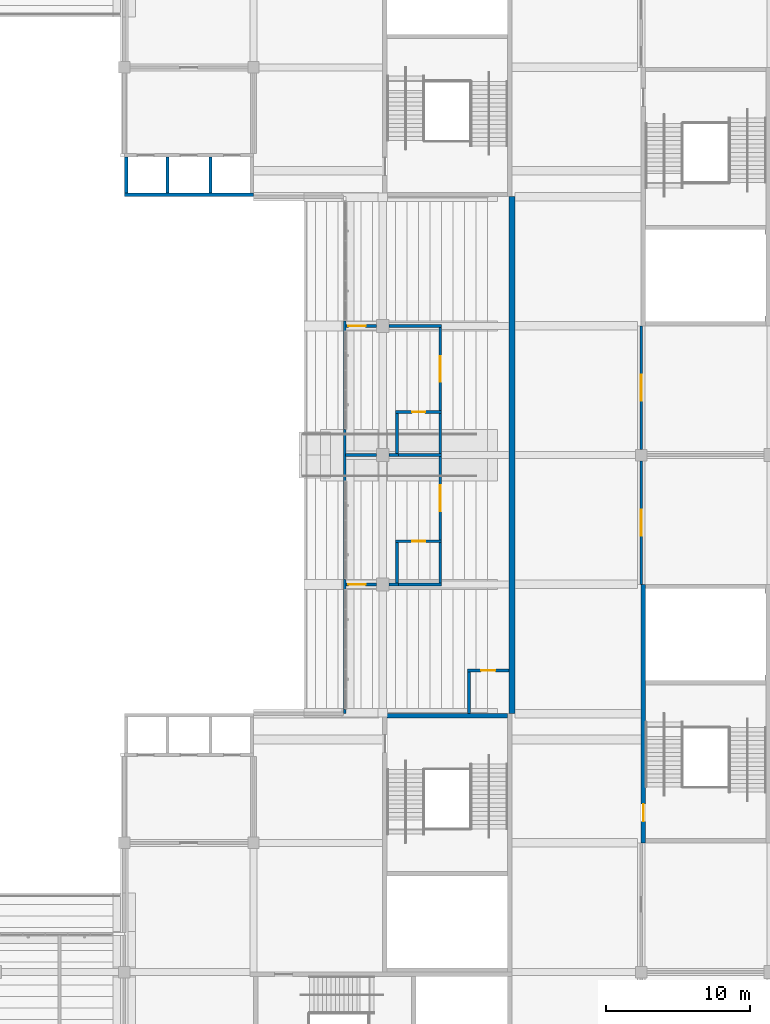
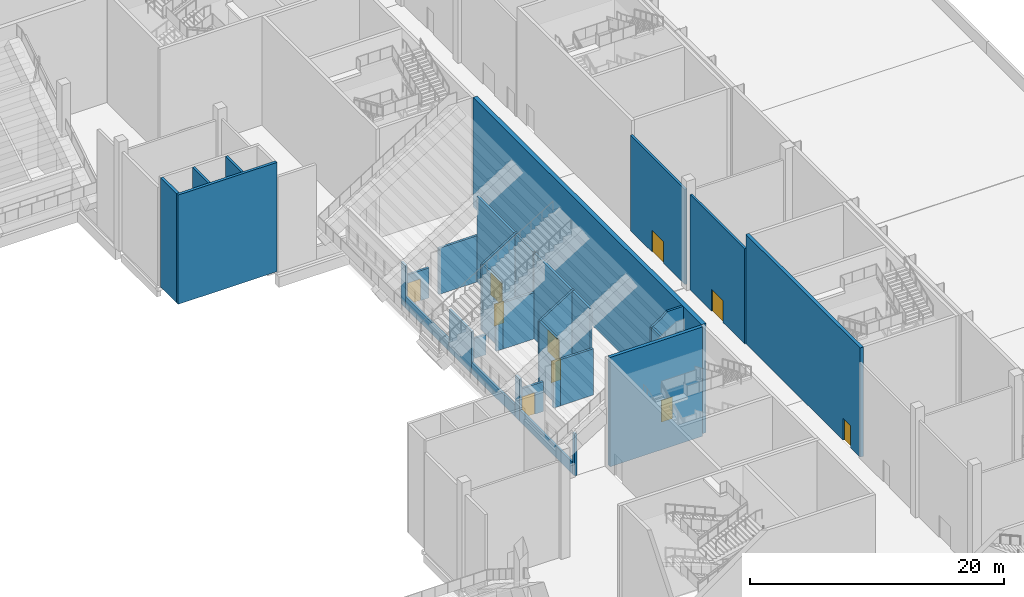
# One storey, part 89 of 182: 34 walls, 10 doors, 10 openings.
"""IFC4 building model written with IfcOpenShell, lengths in metres."""

from ifc_helpers import new_model, si_unit, direction, frame, frame_2d, origin, place, context, subcontext, project, spatial, polyline, rectangle, outline, extrude, material, layer, layer_set, type_object, element, fill, save


model = new_model("IFC4")

# Units and contexts
model_context = context("Model", 3, precision=1e-05, world=origin(), true_north=direction((0.0, 1.0)))
body_context = subcontext(model_context, "Body", "Model", "MODEL_VIEW")
ifc_project = project(units=[si_unit("LENGTHUNIT", "METRE"), si_unit("AREAUNIT", "SQUARE_METRE"), si_unit("VOLUMEUNIT", "CUBIC_METRE"), si_unit("PLANEANGLEUNIT", "RADIAN"), si_unit("MASSUNIT", "GRAM", prefix="KILO")], contexts=[model_context])

# Site, building, storey
site_placement = place(None, origin())
site = spatial("IfcSite", under=ifc_project, at=site_placement, CompositionType="ELEMENT")
building_placement = place(site_placement, origin())
building = spatial("IfcBuilding", under=site, at=building_placement, Name="Silverbay Arena", CompositionType="ELEMENT")
storey_placement = place(building_placement, frame((0.0, 0.0, 11.5)))
storey = spatial("IfcBuildingStorey", under=building, at=storey_placement, Name="L02", CompositionType="ELEMENT", Elevation=11.5)

# Wall, opening, door
ifc_material_1 = material(Name="Concrete Grade C45", Category="concrete")
ifc_layer_1 = layer(ifc_material_1, 0.300048828125)
ifc_layer_set_1 = layer_set([ifc_layer_1], Name="Concrete Grade C45")
wall_type_1 = type_object("IfcWallType", Name="Core wall RC 300 EI 120", PredefinedType="SHEAR", material=ifc_layer_set_1)
wall_1_placement = place(storey_placement, frame((198.14990234375, 54.0, 0.0), z_axis=(0.0, 0.0, 1.0), x_axis=(0.0, 1.0, 0.0)))
wall_1 = element("IfcWall", 1, at=wall_1_placement, inside=storey, type_object=wall_type_1, Name="Core wall ST-E1 L02 door side", PredefinedType="SHEAR", context=body_context, shape_type="SweptSolid", body=[
    extrude(rectangle(XDim=18.0, YDim=0.300048828125, at=frame_2d((9.0, 0.0))), origin(), (0.0, 0.0, 1.0), 10.5),
])
opening_1_placement = place(wall_1_placement, frame((1.5, 0.0, 0.0)))
opening_1 = element("IfcOpeningElement", 2, at=opening_1_placement, cuts=wall_1, Name="Opening L02-089", PredefinedType="OPENING", context=body_context, shape_type="SweptSolid", body=[
    extrude(rectangle(XDim=1.199951171875, YDim=2.10009765625, at=frame_2d((0.60009765625, 1.050048828125))), frame((0.0, 0.16015625, 0.0), z_axis=(0.0, -1.0, 0.0), x_axis=(1.0, 0.0, 0.0)), (0.0, 0.0, 1.0), 0.320068359375),
])
ifc_material_2 = material(Name="Steel fire door", Category="steel")
door_type_1 = type_object("IfcDoorType", Name="Stair door 1200 x 2100 fire door", OperationType="SINGLE_SWING_LEFT", PredefinedType="DOOR", material=ifc_material_2)
door_1_placement = place(opening_1_placement, frame((1.199951171875, 0.0, 0.0), z_axis=(0.0, 0.0, 1.0), x_axis=(-1.0, 0.0, 0.0)))
door_1 = element("IfcDoor", 3, at=door_1_placement, inside=storey, type_object=door_type_1, Name="Stair door ST-E1 L02", OperationType="SINGLE_SWING_RIGHT", OverallHeight=2.10009765625, OverallWidth=1.199951171875, PredefinedType="DOOR", context=body_context, shape_type="SweptSolid", body=[
    extrude(rectangle(XDim=1.199951171875, YDim=2.10009765625, at=frame_2d((0.60009765625, 1.050048828125))), frame((0.0, 0.02490234375, 0.0), z_axis=(0.0, -1.0, 0.0), x_axis=(1.0, 0.0, 0.0)), (0.0, 0.0, 1.0), 0.050048828125),
])
fill(opening_1, door_1)

# Walls
wall_2_placement = place(storey_placement, frame((180.300048828125, 62.85009765625, 0.0), z_axis=(0.0, 0.0, 1.0), x_axis=(1.0, 0.0, 0.0)))
element("IfcWall", 4, at=wall_2_placement, inside=storey, type_object=wall_type_1, Name="Core wall ST-SE2 L02 end 1", PredefinedType="SHEAR", context=body_context, shape_type="SweptSolid", body=[
    extrude(rectangle(XDim=8.39990234375, YDim=0.300048828125, at=frame_2d((4.199951171875, 0.0))), origin(), (0.0, 0.0, 1.0), 10.5),
])
ifc_material_3 = material(Name="Concrete Grade C45", Category="concrete")
ifc_layer_2 = layer(ifc_material_3, 0.199951171875)
ifc_layer_set_2 = layer_set([ifc_layer_2], Name="Concrete Grade C45")
wall_type_2 = type_object("IfcWallType", Name="Lift shaft divider RC 200 EI 120", PredefinedType="SHEAR", material=ifc_layer_set_2)
for number, where, z_axis, x_axis, name in (
    (5, (165.0, 99.25, 0.0), (0.0, 0.0, 1.0), (0.0, 1.0, 0.0), "Lift shaft divider LB-NE L02 1"),
    (6, (168.0, 99.25, 0.0), (0.0, 0.0, 1.0), (0.0, 1.0, 0.0), "Lift shaft divider LB-NE L02 2"),
):
    element("IfcWall", number, at=place(storey_placement, frame(where, z_axis=z_axis, x_axis=x_axis)), inside=storey, type_object=wall_type_2, Name=name, PredefinedType="SHEAR", context=body_context, shape_type="SweptSolid", body=[
        extrude(rectangle(XDim=2.5, YDim=0.199951171875, at=frame_2d((1.25, 0.0))), origin(), (0.0, 0.0, 1.0), 10.5),
    ])
ifc_material_4 = material(Name="Concrete Grade C45", Category="concrete")
ifc_layer_3 = layer(ifc_material_4, 0.25)
ifc_layer_set_3 = layer_set([ifc_layer_3], Name="Concrete Grade C45")
wall_type_3 = type_object("IfcWallType", Name="Lift shaft wall RC 250 EI 120", PredefinedType="SHEAR", material=ifc_layer_set_3)
wall_3_placement = place(storey_placement, frame((162.0, 99.125, 0.0), z_axis=(0.0, 0.0, 1.0), x_axis=(1.0, 0.0, 0.0)))
element("IfcWall", 7, at=wall_3_placement, inside=storey, type_object=wall_type_3, Name="Lift shaft wall LB-NE L02 back", PredefinedType="SHEAR", context=body_context, shape_type="SweptSolid", body=[
    extrude(rectangle(XDim=9.0, YDim=0.25, at=frame_2d((4.5, 0.0))), origin(), (0.0, 0.0, 1.0), 10.5),
])
wall_4_placement = place(storey_placement, frame((162.125, 99.25, 0.0), z_axis=(0.0, 0.0, 1.0), x_axis=(0.0, 1.0, 0.0)))
element("IfcWall", 8, at=wall_4_placement, inside=storey, type_object=wall_type_3, Name="Lift shaft wall LB-NE L02 end", PredefinedType="SHEAR", context=body_context, shape_type="SweptSolid", body=[
    extrude(rectangle(XDim=2.5, YDim=0.25, at=frame_2d((1.25, 0.0))), origin(), (0.0, 0.0, 1.0), 10.5),
])
ifc_material_5 = material(Name="Masonry blockwork partition", Category="masonry")
ifc_layer_4 = layer(ifc_material_5, 0.199951171875)
ifc_layer_set_4 = layer_set([ifc_layer_4], Name="Masonry blockwork partition")
wall_type_4 = type_object("IfcWallType", Name="Partition 200 EI 120", PredefinedType="PARTITIONING", material=ifc_layer_set_4)
wall_5_placement = place(storey_placement, frame((181.10009765625, 81.0, 0.0), z_axis=(0.0, 0.0, 1.0), x_axis=(1.0, 0.0, 0.0)))
element("IfcWall", 9, at=wall_5_placement, inside=storey, type_object=wall_type_4, Name="Partition wall", PredefinedType="PARTITIONING", context=body_context, shape_type="SweptSolid", body=[
    extrude(rectangle(XDim=3.0, YDim=0.199951171875, at=frame_2d((1.5, 0.0))), origin(), (0.0, 0.0, 1.0), 4.43896484375),
])

# Wall, opening, door
wall_6_placement = place(storey_placement, frame((184.0, 75.10009765625, 0.0), z_axis=(0.0, 0.0, 1.0), x_axis=(0.0, 1.0, 0.0)))
wall_6 = element("IfcWall", 10, at=wall_6_placement, inside=storey, type_object=wall_type_4, Name="Partition wall", PredefinedType="PARTITIONING", context=body_context, shape_type="SweptSolid", body=[
    extrude(rectangle(XDim=5.7998046875, YDim=0.199951171875, at=frame_2d((2.89990234375, 0.0))), origin(), (0.0, 0.0, 1.0), 8.257568359375),
])
opening_2_placement = place(wall_6_placement, frame((2.0, 0.0, 0.0)))
opening_2 = element("IfcOpeningElement", 11, at=opening_2_placement, cuts=wall_6, Name="Opening L02-059", PredefinedType="OPENING", context=body_context, shape_type="SweptSolid", body=[
    extrude(rectangle(XDim=1.800048828125, YDim=2.10009765625, at=frame_2d((0.89990234375, 1.050048828125))), frame((0.0, 0.10986328125, 0.0), z_axis=(0.0, -1.0, 0.0), x_axis=(1.0, 0.0, 0.0)), (0.0, 0.0, 1.0), 0.219970703125),
])
ifc_material_6 = material(Name="Steel faced timber", Category="steel")
door_type_2 = type_object("IfcDoorType", Name="Double leaf door 1800 x 2100 FD120", OperationType="DOUBLE_DOOR_DOUBLE_SWING", PredefinedType="DOOR", material=ifc_material_6)
door_2_placement = place(opening_2_placement, origin())
door_2 = element("IfcDoor", 12, at=door_2_placement, inside=storey, type_object=door_type_2, Name="Door L02-059", OperationType="DOUBLE_DOOR_DOUBLE_SWING", OverallHeight=2.10009765625, OverallWidth=1.800048828125, PredefinedType="DOOR", context=body_context, shape_type="SweptSolid", body=[
    extrude(rectangle(XDim=1.800048828125, YDim=2.10009765625, at=frame_2d((0.89990234375, 1.050048828125))), frame((0.0, 0.02490234375, 0.0), z_axis=(0.0, -1.0, 0.0), x_axis=(1.0, 0.0, 0.0)), (0.0, 0.0, 1.0), 0.050048828125),
])
fill(opening_2, door_2)

wall_7_placement = place(storey_placement, frame((184.0, 84.10009765625, 0.0), z_axis=(0.0, 0.0, 1.0), x_axis=(0.0, 1.0, 0.0)))
wall_7 = element("IfcWall", 13, at=wall_7_placement, inside=storey, type_object=wall_type_4, Name="Partition wall", PredefinedType="PARTITIONING", context=body_context, shape_type="SweptSolid", body=[
    extrude(rectangle(XDim=5.7998046875, YDim=0.199951171875, at=frame_2d((2.89990234375, 0.0))), origin(), (0.0, 0.0, 1.0), 8.257568359375),
])
opening_3_placement = place(wall_7_placement, frame((2.0, 0.0, 0.0)))
opening_3 = element("IfcOpeningElement", 14, at=opening_3_placement, cuts=wall_7, Name="Opening L02-061", PredefinedType="OPENING", context=body_context, shape_type="SweptSolid", body=[
    extrude(rectangle(XDim=1.800048828125, YDim=2.10009765625, at=frame_2d((0.89990234375, 1.050048828125))), frame((0.0, 0.10986328125, 0.0), z_axis=(0.0, -1.0, 0.0), x_axis=(1.0, 0.0, 0.0)), (0.0, 0.0, 1.0), 0.219970703125),
])
door_3_placement = place(opening_3_placement, origin())
door_3 = element("IfcDoor", 15, at=door_3_placement, inside=storey, type_object=door_type_2, Name="Door L02-061", OperationType="DOUBLE_DOOR_DOUBLE_SWING", OverallHeight=2.10009765625, OverallWidth=1.800048828125, PredefinedType="DOOR", context=body_context, shape_type="SweptSolid", body=[
    extrude(rectangle(XDim=1.800048828125, YDim=2.10009765625, at=frame_2d((0.89990234375, 1.050048828125))), frame((0.0, 0.02490234375, 0.0), z_axis=(0.0, -1.0, 0.0), x_axis=(1.0, 0.0, 0.0)), (0.0, 0.0, 1.0), 0.050048828125),
])
fill(opening_3, door_3)

ifc_material_7 = material(Name="Gypsum board partition on steel studs", Category="steel")
ifc_layer_5 = layer(ifc_material_7, 0.199951171875)
ifc_layer_set_5 = layer_set([ifc_layer_5], Name="Gypsum board partition on steel studs")
wall_type_5 = type_object("IfcWallType", Name="Partition 200 EI 60", PredefinedType="PARTITIONING", material=ifc_layer_set_5)
wall_8_placement = place(storey_placement, frame((185.89990234375, 66.0, 0.0), z_axis=(0.0, 0.0, 1.0), x_axis=(1.0, 0.0, 0.0)))
wall_8 = element("IfcWall", 16, at=wall_8_placement, inside=storey, type_object=wall_type_5, Name="Partition wall", PredefinedType="PARTITIONING", context=body_context, shape_type="SweptSolid", body=[
    extrude(outline(polyline([(0.0, 0.0), (2.900146484375, 0.0), (2.89990234375, 10.5), (1.449951171875, 10.5), (0.966796875, 10.04931640625), (0.0, 9.445068359375), (0.0, 0.0)])), frame((0.0, 0.10009765625, 0.0), z_axis=(0.0, -1.0, 0.0), x_axis=(1.0, 0.0, 0.0)), (0.0, 0.0, 1.0), 0.199951171875),
])
opening_4_placement = place(wall_8_placement, frame((0.949951171875, 0.0, 0.0)))
opening_4 = element("IfcOpeningElement", 17, at=opening_4_placement, cuts=wall_8, Name="Opening L02-058", PredefinedType="OPENING", context=body_context, shape_type="SweptSolid", body=[
    extrude(rectangle(XDim=1.0, YDim=2.10009765625, at=frame_2d((0.5, 1.050048828125))), frame((0.0, 0.10986328125, 0.0), z_axis=(0.0, -1.0, 0.0), x_axis=(1.0, 0.0, 0.0)), (0.0, 0.0, 1.0), 0.219970703125),
])
ifc_material_8 = material(Name="Steel faced timber", Category="steel")
door_type_3 = type_object("IfcDoorType", Name="Single leaf door 1000 x 2100 FD30S", OperationType="SINGLE_SWING_LEFT", PredefinedType="DOOR", material=ifc_material_8)
door_4_placement = place(opening_4_placement, frame((1.0, 0.0, 0.0), z_axis=(0.0, 0.0, 1.0), x_axis=(-1.0, 0.0, 0.0)))
door_4 = element("IfcDoor", 18, at=door_4_placement, inside=storey, type_object=door_type_3, Name="Door L02-058", OperationType="SINGLE_SWING_LEFT", OverallHeight=2.10009765625, OverallWidth=1.0, PredefinedType="DOOR", context=body_context, shape_type="SweptSolid", body=[
    extrude(rectangle(XDim=1.0, YDim=2.10009765625, at=frame_2d((0.5, 1.050048828125))), frame((0.0, 0.02490234375, 0.0), z_axis=(0.0, -1.0, 0.0), x_axis=(1.0, 0.0, 0.0)), (0.0, 0.0, 1.0), 0.050048828125),
])
fill(opening_4, door_4)

# Wall
wall_9_placement = place(storey_placement, frame((180.449951171875, 72.0, 0.0), z_axis=(0.0, 0.0, 1.0), x_axis=(1.0, 0.0, 0.0)))
element("IfcWall", 19, at=wall_9_placement, inside=storey, type_object=wall_type_5, Name="Partition wall", PredefinedType="PARTITIONING", context=body_context, shape_type="SweptSolid", body=[
    extrude(rectangle(XDim=0.650146484375, YDim=0.199951171875, at=frame_2d((0.3251953125, 0.0))), origin(), (0.0, 0.0, 1.0), 4.43896484375),
])

# Wall, opening, door
wall_10_placement = place(storey_placement, frame((177.39990234375, 72.0, 0.0), z_axis=(0.0, 0.0, 1.0), x_axis=(1.0, 0.0, 0.0)))
wall_10 = element("IfcWall", 20, at=wall_10_placement, inside=storey, type_object=wall_type_5, Name="Partition wall", PredefinedType="PARTITIONING", context=body_context, shape_type="SweptSolid", body=[
    extrude(outline(polyline([(0.0, 0.0), (2.150146484375, 0.0), (2.14990234375, 2.876953125), (0.071044921875, 2.876953125), (0.0, 2.83251953125), (0.0, 0.0)])), frame((0.0, 0.10009765625, 0.0), z_axis=(0.0, -1.0, 0.0), x_axis=(1.0, 0.0, 0.0)), (0.0, 0.0, 1.0), 0.199951171875),
])
opening_5_placement = place(wall_10_placement, frame((0.199951171875, 0.0, 0.0)))
opening_5 = element("IfcOpeningElement", 21, at=opening_5_placement, cuts=wall_10, Name="Opening L02-073", PredefinedType="OPENING", context=body_context, shape_type="SweptSolid", body=[
    extrude(rectangle(XDim=1.199951171875, YDim=2.10009765625, at=frame_2d((0.60009765625, 1.050048828125))), frame((0.0, 0.10986328125, 0.0), z_axis=(0.0, -1.0, 0.0), x_axis=(1.0, 0.0, 0.0)), (0.0, 0.0, 1.0), 0.219970703125),
])
ifc_material_9 = material(Name="Steel faced timber", Category="steel")
door_type_4 = type_object("IfcDoorType", Name="Double leaf door 1200 x 2100 FD120", OperationType="DOUBLE_DOOR_DOUBLE_SWING", PredefinedType="DOOR", material=ifc_material_9)
door_5_placement = place(opening_5_placement, origin())
door_5 = element("IfcDoor", 22, at=door_5_placement, inside=storey, type_object=door_type_4, Name="Door L02-073", OperationType="DOUBLE_DOOR_DOUBLE_SWING", OverallHeight=2.10009765625, OverallWidth=1.199951171875, PredefinedType="DOOR", context=body_context, shape_type="SweptSolid", body=[
    extrude(rectangle(XDim=1.199951171875, YDim=2.10009765625, at=frame_2d((0.60009765625, 1.050048828125))), frame((0.0, 0.02490234375, 0.0), z_axis=(0.0, -1.0, 0.0), x_axis=(1.0, 0.0, 0.0)), (0.0, 0.0, 1.0), 0.050048828125),
])
fill(opening_5, door_5)

# Walls
wall_11_placement = place(storey_placement, frame((180.449951171875, 81.0, 0.0), z_axis=(0.0, 0.0, 1.0), x_axis=(1.0, 0.0, 0.0)))
element("IfcWall", 23, at=wall_11_placement, inside=storey, type_object=wall_type_5, Name="Partition wall", PredefinedType="PARTITIONING", context=body_context, shape_type="SweptSolid", body=[
    extrude(rectangle(XDim=0.650146484375, YDim=0.199951171875, at=frame_2d((0.3251953125, 0.0))), origin(), (0.0, 0.0, 1.0), 4.43896484375),
])
wall_12_placement = place(storey_placement, frame((177.39990234375, 81.0, 0.0), z_axis=(0.0, 0.0, 1.0), x_axis=(1.0, 0.0, 0.0)))
element("IfcWall", 24, at=wall_12_placement, inside=storey, type_object=wall_type_5, Name="Partition wall", PredefinedType="PARTITIONING", context=body_context, shape_type="SweptSolid", body=[
    extrude(rectangle(XDim=2.150146484375, YDim=0.199951171875, at=frame_2d((1.0751953125, 0.0))), origin(), (0.0, 0.0, 1.0), 1.93896484375),
])
wall_13_placement = place(storey_placement, frame((180.449951171875, 90.0, 0.0), z_axis=(0.0, 0.0, 1.0), x_axis=(1.0, 0.0, 0.0)))
element("IfcWall", 25, at=wall_13_placement, inside=storey, type_object=wall_type_5, Name="Partition wall", PredefinedType="PARTITIONING", context=body_context, shape_type="SweptSolid", body=[
    extrude(rectangle(XDim=3.650146484375, YDim=0.199951171875, at=frame_2d((1.8251953125, 0.0))), origin(), (0.0, 0.0, 1.0), 4.43896484375),
])

# Wall, opening, door
wall_14_placement = place(storey_placement, frame((177.39990234375, 90.0, 0.0), z_axis=(0.0, 0.0, 1.0), x_axis=(1.0, 0.0, 0.0)))
wall_14 = element("IfcWall", 26, at=wall_14_placement, inside=storey, type_object=wall_type_5, Name="Partition wall", PredefinedType="PARTITIONING", context=body_context, shape_type="SweptSolid", body=[
    extrude(outline(polyline([(0.0, 0.0), (2.150146484375, 0.0), (2.14990234375, 2.876953125), (0.071044921875, 2.876953125), (0.0, 2.83251953125), (0.0, 0.0)])), frame((0.0, 0.10009765625, 0.0), z_axis=(0.0, -1.0, 0.0), x_axis=(1.0, 0.0, 0.0)), (0.0, 0.0, 1.0), 0.199951171875),
])
opening_6_placement = place(wall_14_placement, frame((0.199951171875, 0.0, 0.0)))
opening_6 = element("IfcOpeningElement", 27, at=opening_6_placement, cuts=wall_14, Name="Opening L02-074", PredefinedType="OPENING", context=body_context, shape_type="SweptSolid", body=[
    extrude(rectangle(XDim=1.199951171875, YDim=2.10009765625, at=frame_2d((0.60009765625, 1.050048828125))), frame((0.0, 0.10986328125, 0.0), z_axis=(0.0, -1.0, 0.0), x_axis=(1.0, 0.0, 0.0)), (0.0, 0.0, 1.0), 0.219970703125),
])
door_6_placement = place(opening_6_placement, frame((1.199951171875, 0.0, 0.0), z_axis=(0.0, 0.0, 1.0), x_axis=(-1.0, 0.0, 0.0)))
door_6 = element("IfcDoor", 28, at=door_6_placement, inside=storey, type_object=door_type_4, Name="Door L02-074", OperationType="DOUBLE_DOOR_DOUBLE_SWING", OverallHeight=2.10009765625, OverallWidth=1.199951171875, PredefinedType="DOOR", context=body_context, shape_type="SweptSolid", body=[
    extrude(rectangle(XDim=1.199951171875, YDim=2.10009765625, at=frame_2d((0.60009765625, 1.050048828125))), frame((0.0, 0.02490234375, 0.0), z_axis=(0.0, -1.0, 0.0), x_axis=(1.0, 0.0, 0.0)), (0.0, 0.0, 1.0), 0.050048828125),
])
fill(opening_6, door_6)

# Wall
wall_15_placement = place(storey_placement, frame((186.0, 63.0, 0.0), z_axis=(0.0, 0.0, 1.0), x_axis=(0.0, 1.0, 0.0)))
element("IfcWall", 29, at=wall_15_placement, inside=storey, type_object=wall_type_5, Name="Partition wall", PredefinedType="PARTITIONING", context=body_context, shape_type="SweptSolid", body=[
    extrude(outline(polyline([(0.0, 0.0), (2.89990234375, 0.0), (2.89990234375, 9.507568359375), (0.4833984375, 9.507568359375), (0.0, 10.5), (0.0, 0.0)])), frame((0.0, 0.10009765625, 0.0), z_axis=(0.0, -1.0, 0.0), x_axis=(1.0, 0.0, 0.0)), (0.0, 0.0, 1.0), 0.199951171875),
])

# Wall, opening, door
wall_16_placement = place(storey_placement, frame((198.0, 72.0, 0.0), z_axis=(0.0, 0.0, 1.0), x_axis=(0.0, 1.0, 0.0)))
wall_16 = element("IfcWall", 30, at=wall_16_placement, inside=storey, type_object=wall_type_5, Name="Partition wall", PredefinedType="PARTITIONING", context=body_context, shape_type="SweptSolid", body=[
    extrude(rectangle(XDim=8.60009765625, YDim=0.199951171875, at=frame_2d((4.300048828125, 0.0))), origin(), (0.0, 0.0, 1.0), 9.14990234375),
])
opening_7_placement = place(wall_16_placement, frame((3.39990234375, 0.0, 0.0)))
opening_7 = element("IfcOpeningElement", 31, at=opening_7_placement, cuts=wall_16, Name="Opening L02-015", PredefinedType="OPENING", context=body_context, shape_type="SweptSolid", body=[
    extrude(rectangle(XDim=1.800048828125, YDim=2.10009765625, at=frame_2d((0.89990234375, 1.050048828125))), frame((0.0, 0.10986328125, 0.0), z_axis=(0.0, -1.0, 0.0), x_axis=(1.0, 0.0, 0.0)), (0.0, 0.0, 1.0), 0.219970703125),
])
ifc_material_10 = material(Name="Steel faced timber", Category="steel")
door_type_5 = type_object("IfcDoorType", Name="Double leaf door 1800 x 2100 FD30S", OperationType="DOUBLE_DOOR_DOUBLE_SWING", PredefinedType="DOOR", material=ifc_material_10)
door_7_placement = place(opening_7_placement, frame((1.800048828125, 0.0, 0.0), z_axis=(0.0, 0.0, 1.0), x_axis=(-1.0, 0.0, 0.0)))
door_7 = element("IfcDoor", 32, at=door_7_placement, inside=storey, type_object=door_type_5, Name="Door L02-015", OperationType="DOUBLE_DOOR_DOUBLE_SWING", OverallHeight=2.10009765625, OverallWidth=1.800048828125, PredefinedType="DOOR", context=body_context, shape_type="SweptSolid", body=[
    extrude(rectangle(XDim=1.800048828125, YDim=2.10009765625, at=frame_2d((0.89990234375, 1.050048828125))), frame((0.0, 0.02490234375, 0.0), z_axis=(0.0, -1.0, 0.0), x_axis=(1.0, 0.0, 0.0)), (0.0, 0.0, 1.0), 0.050048828125),
])
fill(opening_7, door_7)

wall_17_placement = place(storey_placement, frame((198.0, 81.39990234375, 0.0), z_axis=(0.0, 0.0, 1.0), x_axis=(0.0, 1.0, 0.0)))
wall_17 = element("IfcWall", 33, at=wall_17_placement, inside=storey, type_object=wall_type_5, Name="Partition wall", PredefinedType="PARTITIONING", context=body_context, shape_type="SweptSolid", body=[
    extrude(rectangle(XDim=8.60009765625, YDim=0.199951171875, at=frame_2d((4.300048828125, 0.0))), origin(), (0.0, 0.0, 1.0), 9.14990234375),
])
opening_8_placement = place(wall_17_placement, frame((3.39990234375, 0.0, 0.0)))
opening_8 = element("IfcOpeningElement", 34, at=opening_8_placement, cuts=wall_17, Name="Opening L02-016", PredefinedType="OPENING", context=body_context, shape_type="SweptSolid", body=[
    extrude(rectangle(XDim=1.800048828125, YDim=2.10009765625, at=frame_2d((0.89990234375, 1.050048828125))), frame((0.0, 0.10986328125, 0.0), z_axis=(0.0, -1.0, 0.0), x_axis=(1.0, 0.0, 0.0)), (0.0, 0.0, 1.0), 0.219970703125),
])
door_8_placement = place(opening_8_placement, frame((1.800048828125, 0.0, 0.0), z_axis=(0.0, 0.0, 1.0), x_axis=(-1.0, 0.0, 0.0)))
door_8 = element("IfcDoor", 35, at=door_8_placement, inside=storey, type_object=door_type_5, Name="Door L02-016", OperationType="DOUBLE_DOOR_DOUBLE_SWING", OverallHeight=2.10009765625, OverallWidth=1.800048828125, PredefinedType="DOOR", context=body_context, shape_type="SweptSolid", body=[
    extrude(rectangle(XDim=1.800048828125, YDim=2.10009765625, at=frame_2d((0.89990234375, 1.050048828125))), frame((0.0, 0.02490234375, 0.0), z_axis=(0.0, -1.0, 0.0), x_axis=(1.0, 0.0, 0.0)), (0.0, 0.0, 1.0), 0.050048828125),
])
fill(opening_8, door_8)

# Wall
ifc_material_11 = material(Name="Gypsum board partition on steel studs", Category="steel")
ifc_layer_6 = layer(ifc_material_11, 0.199951171875)
ifc_layer_set_6 = layer_set([ifc_layer_6], Name="Gypsum board partition on steel studs")
wall_type_6 = type_object("IfcWallType", Name="Partition 200 plain", PredefinedType="PARTITIONING", material=ifc_layer_set_6)
wall_18_placement = place(storey_placement, frame((181.10009765625, 72.0, 0.0), z_axis=(0.0, 0.0, 1.0), x_axis=(1.0, 0.0, 0.0)))
element("IfcWall", 36, at=wall_18_placement, inside=storey, type_object=wall_type_6, Name="Partition wall", PredefinedType="PARTITIONING", context=body_context, shape_type="SweptSolid", body=[
    extrude(rectangle(XDim=3.0, YDim=0.199951171875, at=frame_2d((1.5, 0.0))), origin(), (0.0, 0.0, 1.0), 4.43896484375),
])

# Wall, opening, door
wall_19_placement = place(storey_placement, frame((180.89990234375, 75.0, 0.0), z_axis=(0.0, 0.0, 1.0), x_axis=(1.0, 0.0, 0.0)))
wall_19 = element("IfcWall", 37, at=wall_19_placement, inside=storey, type_object=wall_type_6, Name="Partition wall", PredefinedType="PARTITIONING", context=body_context, shape_type="SweptSolid", body=[
    extrude(outline(polyline([(0.0, 0.0), (3.2001953125, 0.0), (3.199951171875, 8.320068359375), (2.28564453125, 7.74853515625), (0.0, 6.320068359375), (0.0, 0.0)])), frame((0.0, 0.10009765625, 0.0), z_axis=(0.0, -1.0, 0.0), x_axis=(1.0, 0.0, 0.0)), (0.0, 0.0, 1.0), 0.199951171875),
])
opening_9_placement = place(wall_19_placement, frame((1.14990234375, 0.0, 0.0)))
opening_9 = element("IfcOpeningElement", 38, at=opening_9_placement, cuts=wall_19, Name="Opening L02-060", PredefinedType="OPENING", context=body_context, shape_type="SweptSolid", body=[
    extrude(rectangle(XDim=0.89990234375, YDim=2.10009765625, at=frame_2d((0.449951171875, 1.050048828125))), frame((0.0, 0.10986328125, 0.0), z_axis=(0.0, -1.0, 0.0), x_axis=(1.0, 0.0, 0.0)), (0.0, 0.0, 1.0), 0.219970703125),
])
ifc_material_12 = material(Name="Timber", Category="wood")
door_type_6 = type_object("IfcDoorType", Name="Single leaf door 900 x 2100", OperationType="SINGLE_SWING_LEFT", PredefinedType="DOOR", material=ifc_material_12)
door_9_placement = place(opening_9_placement, frame((0.89990234375, 0.0, 0.0), z_axis=(0.0, 0.0, 1.0), x_axis=(-1.0, 0.0, 0.0)))
door_9 = element("IfcDoor", 39, at=door_9_placement, inside=storey, type_object=door_type_6, Name="Door L02-060", OperationType="SINGLE_SWING_LEFT", OverallHeight=2.10009765625, OverallWidth=0.89990234375, PredefinedType="DOOR", context=body_context, shape_type="SweptSolid", body=[
    extrude(rectangle(XDim=0.89990234375, YDim=2.10009765625, at=frame_2d((0.449951171875, 1.050048828125))), frame((0.0, 0.02490234375, 0.0), z_axis=(0.0, -1.0, 0.0), x_axis=(1.0, 0.0, 0.0)), (0.0, 0.0, 1.0), 0.050048828125),
])
fill(opening_9, door_9)

wall_20_placement = place(storey_placement, frame((180.89990234375, 84.0, 0.0), z_axis=(0.0, 0.0, 1.0), x_axis=(1.0, 0.0, 0.0)))
wall_20 = element("IfcWall", 40, at=wall_20_placement, inside=storey, type_object=wall_type_6, Name="Partition wall", PredefinedType="PARTITIONING", context=body_context, shape_type="SweptSolid", body=[
    extrude(outline(polyline([(0.0, 0.0), (3.2001953125, 0.0), (3.199951171875, 8.320068359375), (2.28564453125, 7.74853515625), (0.0, 6.320068359375), (0.0, 0.0)])), frame((0.0, 0.10009765625, 0.0), z_axis=(0.0, -1.0, 0.0), x_axis=(1.0, 0.0, 0.0)), (0.0, 0.0, 1.0), 0.199951171875),
])
opening_10_placement = place(wall_20_placement, frame((1.14990234375, 0.0, 0.0)))
opening_10 = element("IfcOpeningElement", 41, at=opening_10_placement, cuts=wall_20, Name="Opening L02-062", PredefinedType="OPENING", context=body_context, shape_type="SweptSolid", body=[
    extrude(rectangle(XDim=0.89990234375, YDim=2.10009765625, at=frame_2d((0.449951171875, 1.050048828125))), frame((0.0, 0.10986328125, 0.0), z_axis=(0.0, -1.0, 0.0), x_axis=(1.0, 0.0, 0.0)), (0.0, 0.0, 1.0), 0.219970703125),
])
door_10_placement = place(opening_10_placement, frame((0.89990234375, 0.0, 0.0), z_axis=(0.0, 0.0, 1.0), x_axis=(-1.0, 0.0, 0.0)))
door_10 = element("IfcDoor", 42, at=door_10_placement, inside=storey, type_object=door_type_6, Name="Door L02-062", OperationType="SINGLE_SWING_LEFT", OverallHeight=2.10009765625, OverallWidth=0.89990234375, PredefinedType="DOOR", context=body_context, shape_type="SweptSolid", body=[
    extrude(rectangle(XDim=0.89990234375, YDim=2.10009765625, at=frame_2d((0.449951171875, 1.050048828125))), frame((0.0, 0.02490234375, 0.0), z_axis=(0.0, -1.0, 0.0), x_axis=(1.0, 0.0, 0.0)), (0.0, 0.0, 1.0), 0.050048828125),
])
fill(opening_10, door_10)

# Walls
for number, where, z_axis, x_axis, name in (
    (43, (181.0, 72.10009765625, 0.0), (0.0, 0.0, 1.0), (0.0, 1.0, 0.0), "Partition wall"),
    (44, (181.0, 81.10009765625, 0.0), (0.0, 0.0, 1.0), (0.0, 1.0, 0.0), "Partition wall"),
):
    element("IfcWall", number, at=place(storey_placement, frame(where, z_axis=z_axis, x_axis=x_axis)), inside=storey, type_object=wall_type_6, Name=name, PredefinedType="PARTITIONING", context=body_context, shape_type="SweptSolid", body=[
        extrude(rectangle(XDim=2.7998046875, YDim=0.199951171875, at=frame_2d((1.39990234375, 0.0))), origin(), (0.0, 0.0, 1.0), 6.382568359375),
    ])
for number, where, z_axis, x_axis, name in (
    (45, (184.0, 72.10009765625, 0.0), (0.0, 0.0, 1.0), (0.0, 1.0, 0.0), "Partition wall"),
    (46, (184.0, 81.10009765625, 0.0), (0.0, 0.0, 1.0), (0.0, 1.0, 0.0), "Partition wall"),
):
    element("IfcWall", number, at=place(storey_placement, frame(where, z_axis=z_axis, x_axis=x_axis)), inside=storey, type_object=wall_type_6, Name=name, PredefinedType="PARTITIONING", context=body_context, shape_type="SweptSolid", body=[
        extrude(rectangle(XDim=2.7998046875, YDim=0.199951171875, at=frame_2d((1.39990234375, 0.0))), origin(), (0.0, 0.0, 1.0), 8.257568359375),
    ])
ifc_material_13 = material(Name="Concrete Grade C45", Category="concrete")
ifc_layer_7 = layer(ifc_material_13, 0.39990234375)
ifc_layer_set_7 = layer_set([ifc_layer_7], Name="Concrete Grade C45")
wall_type_7 = type_object("IfcWallType", Name="RC back wall 400 EI 120", PredefinedType="SOLIDWALL", material=ifc_layer_set_7)
wall_21_placement = place(storey_placement, frame((189.0, 63.0, 0.0), z_axis=(0.0, 0.0, 1.0), x_axis=(0.0, 1.0, 0.0)))
element("IfcWall", 47, at=wall_21_placement, inside=storey, type_object=wall_type_7, Name="Bowl back wall L02 02", PredefinedType="SOLIDWALL", context=body_context, shape_type="SweptSolid", body=[
    extrude(rectangle(XDim=36.0, YDim=0.39990234375, at=frame_2d((18.0, 0.0))), origin(), (0.0, 0.0, 1.0), 10.5),
])
ifc_material_14 = material(Name="Concrete Grade C45", Category="concrete")
ifc_layer_8 = layer(ifc_material_14, 0.199951171875)
ifc_layer_set_8 = layer_set([ifc_layer_8], Name="Concrete Grade C45")
wall_type_8 = type_object("IfcWallType", Name="Suite front pier wall 200 EI 120", PredefinedType="SOLIDWALL", material=ifc_layer_set_8)
wall_22_placement = place(storey_placement, frame((177.35009765625, 63.0, 0.0), z_axis=(0.0, 0.0, 1.0), x_axis=(0.0, 1.0, 0.0)))
element("IfcWall", 48, at=wall_22_placement, inside=storey, type_object=wall_type_8, Name="East suite front pier 1", PredefinedType="SOLIDWALL", context=body_context, shape_type="SweptSolid", body=[
    extrude(rectangle(XDim=0.300048828125, YDim=0.199951171875, at=frame_2d((0.14990234375, 0.0))), origin(), (0.0, 0.0, 1.0), 4.033935546875),
])
wall_23_placement = place(storey_placement, frame((177.35009765625, 71.64990234375, 0.0), z_axis=(0.0, 0.0, 1.0), x_axis=(0.0, 1.0, 0.0)))
element("IfcWall", 49, at=wall_23_placement, inside=storey, type_object=wall_type_8, Name="East suite front pier 2", PredefinedType="SOLIDWALL", context=body_context, shape_type="SweptSolid", body=[
    extrude(rectangle(XDim=0.7001953125, YDim=0.199951171875, at=frame_2d((0.35009765625, 0.0))), origin(), (0.0, 0.0, 1.0), 4.033935546875),
])
wall_24_placement = place(storey_placement, frame((177.35009765625, 79.199951171875, 0.0), z_axis=(0.0, 0.0, 1.0), x_axis=(0.0, 1.0, 0.0)))
element("IfcWall", 50, at=wall_24_placement, inside=storey, type_object=wall_type_8, Name="East suite front pier 3", PredefinedType="SOLIDWALL", context=body_context, shape_type="SweptSolid", body=[
    extrude(rectangle(XDim=3.60009765625, YDim=0.199951171875, at=frame_2d((1.800048828125, 0.0))), origin(), (0.0, 0.0, 1.0), 4.033935546875),
])
wall_25_placement = place(storey_placement, frame((177.35009765625, 89.64990234375, 0.0), z_axis=(0.0, 0.0, 1.0), x_axis=(0.0, 1.0, 0.0)))
element("IfcWall", 51, at=wall_25_placement, inside=storey, type_object=wall_type_8, Name="East suite front pier 4", PredefinedType="SOLIDWALL", context=body_context, shape_type="SweptSolid", body=[
    extrude(rectangle(XDim=0.7001953125, YDim=0.199951171875, at=frame_2d((0.35009765625, 0.0))), origin(), (0.0, 0.0, 1.0), 4.033935546875),
])
ifc_material_15 = material(Name="Concrete Grade C45", Category="concrete")
ifc_layer_9 = layer(ifc_material_15, 0.199951171875)
ifc_layer_set_9 = layer_set([ifc_layer_9], Name="Concrete Grade C45")
wall_type_9 = type_object("IfcWallType", Name="Suite front spandrel wall 200 EI 120", PredefinedType="SOLIDWALL", material=ifc_layer_set_9)
wall_26_placement = place(storey_placement, frame((177.35009765625, 63.300048828125, 0.0), z_axis=(0.0, 0.0, 1.0), x_axis=(0.0, 1.0, 0.0)))
element("IfcWall", 52, at=wall_26_placement, inside=storey, type_object=wall_type_9, Name="East suite front spandrel 1", PredefinedType="SOLIDWALL", context=body_context, shape_type="SweptSolid", body=[
    extrude(rectangle(XDim=8.349853515625, YDim=0.199951171875, at=frame_2d((4.1748046875, 0.0))), origin(), (0.0, 0.0, 1.0), 1.10009765625),
])
for number, where, z_axis, x_axis, name in (
    (53, (177.35009765625, 72.35009765625, 0.0), (0.0, 0.0, 1.0), (0.0, 1.0, 0.0), "East suite front spandrel 2"),
    (54, (177.35009765625, 82.800048828125, 0.0), (0.0, 0.0, 1.0), (0.0, 1.0, 0.0), "East suite front spandrel 3"),
):
    element("IfcWall", number, at=place(storey_placement, frame(where, z_axis=z_axis, x_axis=x_axis)), inside=storey, type_object=wall_type_9, Name=name, PredefinedType="SOLIDWALL", context=body_context, shape_type="SweptSolid", body=[
        extrude(rectangle(XDim=6.849853515625, YDim=0.199951171875, at=frame_2d((3.4248046875, 0.0))), origin(), (0.0, 0.0, 1.0), 1.10009765625),
    ])

save(model, "model.ifc")
